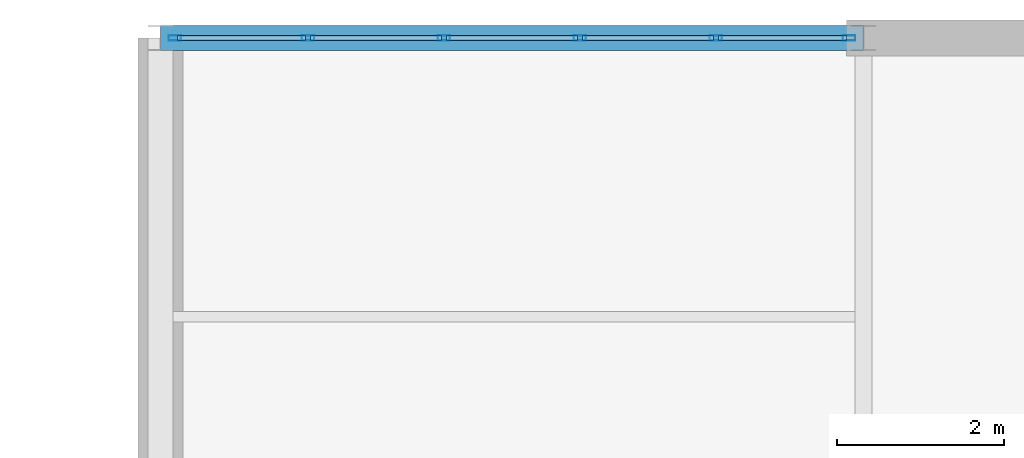
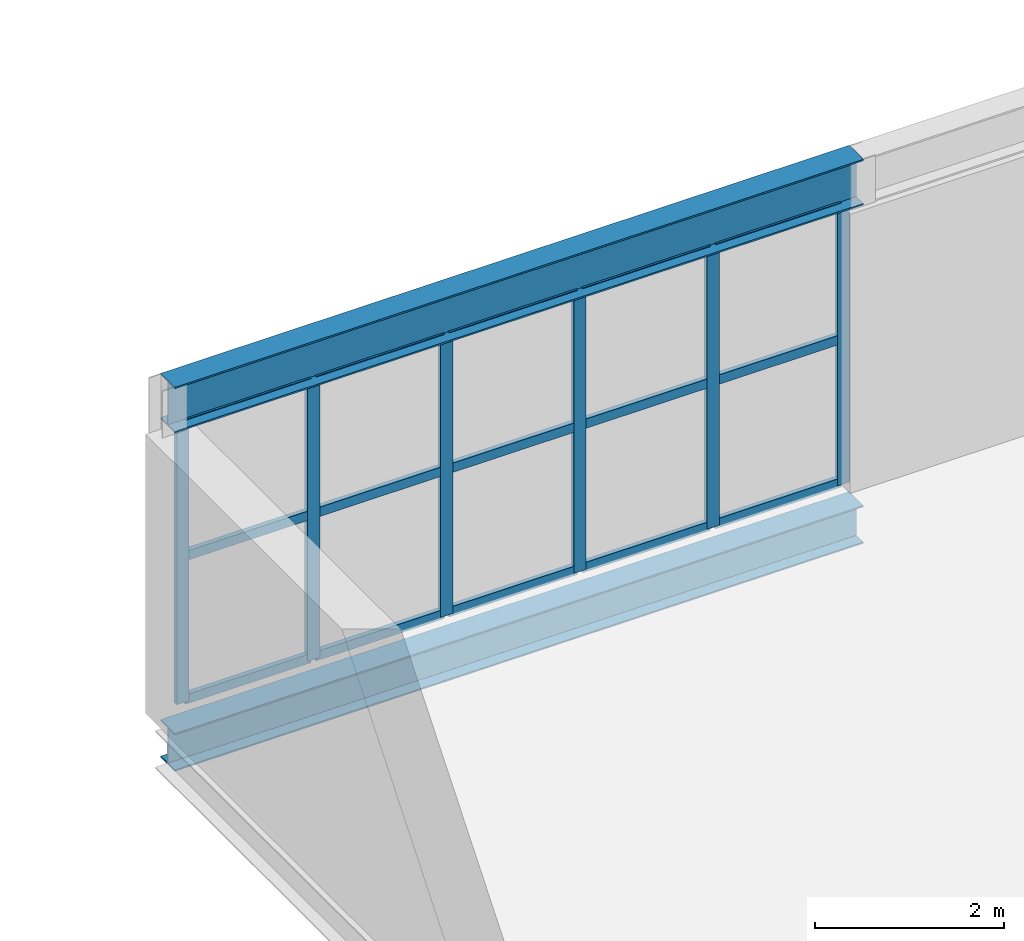
# One storey, part 160 of 218: 21 members, 2 beams, 1 element without a shape of its own.
"""IFC4 building model written with IfcOpenShell, lengths in metres."""

import ifcopenshell
import ifcopenshell.guid

model = None  # the IFC model being written
_history = None  # IfcOwnerHistory: only IFC2X3 demands one
_inside = {}  # id of a spatial element -> (the spatial element, [elements in it])
_under = {}  # id of a project, library or spatial element -> (it, [spatial elements below it])
_declared = {}  # id of a project -> (the project, [libraries it declares])
_typed = {}  # id of a type object -> (the type object, [elements of that type])
_made_of = {}  # id of a material, layer set ... -> (it, [elements and type objects made of it])


def new_model(schema):
    """Start an empty IFC model of exactly this schema.

    Asked for "IFC4X3", IfcOpenShell would pick the latest addendum, in which some entities
    have other attributes; the version numbers below select the first issue.
    IFC2X3 requires an IfcOwnerHistory on every rooted entity: one is made here for all.
    """
    global model, _history
    if schema == "IFC4X3":
        model = ifcopenshell.file(schema_version=(4, 3, 0, 0))
    else:
        model = ifcopenshell.file(schema=schema)
    _inside.clear()
    _under.clear()
    _declared.clear()
    _typed.clear()
    _made_of.clear()
    _history = None
    if model.schema == "IFC2X3":
        org = make("IfcOrganization", Name="unknown")
        user = make(
            "IfcPersonAndOrganization",
            ThePerson=make("IfcPerson", FamilyName="unknown"),
            TheOrganization=org,
        )
        app = make(
            "IfcApplication",
            ApplicationDeveloper=org,
            Version="unknown",
            ApplicationFullName="unknown",
            ApplicationIdentifier="unknown",
        )
        _history = make(
            "IfcOwnerHistory",
            OwningUser=user,
            OwningApplication=app,
            ChangeAction="ADDED",
            CreationDate=0,
        )
    return model


def make(cls, **values):
    """One entity of the class cls with the attributes given. An attribute that is None is left unset."""
    return model.create_entity(
        cls, **{name: value for name, value in values.items() if value is not None}
    )


def rooted(cls, **values):
    """An entity with a GlobalId (a new one), such as an element, a storey or a relation."""
    return make(cls, GlobalId=ifcopenshell.guid.new(), OwnerHistory=_history, **values)


def si_unit(unit_type, name, prefix=None):
    """IfcSIUnit, for example si_unit("LENGTHUNIT", "METRE", prefix="MILLI")."""
    return make("IfcSIUnit", UnitType=unit_type, Prefix=prefix, Name=name)


def assignment(units):
    """IfcUnitAssignment: the units of a project."""
    return None if units is None else make("IfcUnitAssignment", Units=units)


def point(xyz):
    """IfcCartesianPoint."""
    return None if xyz is None else make("IfcCartesianPoint", Coordinates=xyz)


def direction(xyz):
    """IfcDirection."""
    return None if xyz is None else make("IfcDirection", DirectionRatios=xyz)


def frame(location, z_axis=None, x_axis=None):
    """IfcAxis2Placement3D, a coordinate frame: its origin and axes. An axis left out is left unset."""
    return make(
        "IfcAxis2Placement3D",
        Location=point(location),
        Axis=direction(z_axis),
        RefDirection=direction(x_axis),
    )


def frame_2d(location, x_axis=None):
    """IfcAxis2Placement2D, a coordinate frame in the plane: its origin and x axis."""
    return make(
        "IfcAxis2Placement2D", Location=point(location), RefDirection=direction(x_axis)
    )


def origin():
    """The frame at (0, 0, 0) with its axes left unset."""
    return frame((0.0, 0.0, 0.0))


def origin_2d():
    """The frame at (0, 0) in the plane with its x axis left unset."""
    return frame_2d((0.0, 0.0))


def place(relative_to, where):
    """IfcLocalPlacement: puts the frame where relative to a parent placement (None: the world)."""
    return make(
        "IfcLocalPlacement", PlacementRelTo=relative_to, RelativePlacement=where
    )


def context(
    kind, dimensions, precision=None, world=None, true_north=None, identifier=None
):
    """IfcGeometricRepresentationContext, for example the 3D "Model" context."""
    return make(
        "IfcGeometricRepresentationContext",
        ContextIdentifier=identifier,
        ContextType=kind,
        CoordinateSpaceDimension=dimensions,
        Precision=precision,
        WorldCoordinateSystem=world,
        TrueNorth=true_north,
    )


def subcontext(parent, identifier, kind, view, scale=None):
    """IfcGeometricRepresentationSubContext, for example "Body" below "Model"."""
    return make(
        "IfcGeometricRepresentationSubContext",
        ContextIdentifier=identifier,
        ContextType=kind,
        ParentContext=parent,
        TargetScale=scale,
        TargetView=view,
    )


def project(units=None, contexts=None):
    """IfcProject with its units and contexts."""
    return rooted(
        "IfcProject",
        Name="project",
        RepresentationContexts=contexts,
        UnitsInContext=assignment(units),
    )


def spatial(cls, under=None, at=None, **own):
    """A site, building, storey or space (cls), placed at a placement, below another one or the project."""
    s = rooted(cls, ObjectPlacement=at, **own)
    if under is not None:
        _under.setdefault(under.id(), (under, []))[1].append(s)
    return s


def profile(cls, at=None, kind="AREA", **sizes):
    """A parametric profile (cls). Its sizes go by their IFC names, for example OverallWidth=200.0."""
    return make(cls, ProfileType=kind, Position=at, **sizes)


def hollow_rectangle(**sizes):
    """IfcRectangleHollowProfileDef."""
    return profile("IfcRectangleHollowProfileDef", **sizes)


def i_section(**sizes):
    """IfcIShapeProfileDef."""
    return profile("IfcIShapeProfileDef", **sizes)


def extrude(swept, where, along, depth):
    """IfcExtrudedAreaSolid: the profile swept, set in the frame where, extruded along a direction by depth."""
    return make(
        "IfcExtrudedAreaSolid",
        SweptArea=swept,
        Position=where,
        ExtrudedDirection=direction(along),
        Depth=depth,
    )


def shape(context_of_items, identifier, shape_type, items):
    """IfcShapeRepresentation: the items that make up one representation, for example the "Body"."""
    return make(
        "IfcShapeRepresentation",
        ContextOfItems=context_of_items,
        RepresentationIdentifier=identifier,
        RepresentationType=shape_type,
        Items=items,
    )


def material(Name=None, Category=None):
    """IfcMaterial."""
    return make("IfcMaterial", Name=Name, Category=Category)


def material_profile(
    of_material, cross_section, Name=None, Category=None, Priority=None
):
    """IfcMaterialProfile: a cross section and its material."""
    return make(
        "IfcMaterialProfile",
        Name=Name,
        Material=of_material,
        Profile=cross_section,
        Priority=Priority,
        Category=Category,
    )


def profile_set(profiles, Name=None, composite=None):
    """IfcMaterialProfileSet."""
    return make(
        "IfcMaterialProfileSet",
        Name=Name,
        MaterialProfiles=profiles,
        CompositeProfile=composite,
    )


def made_of(thing, what):
    """Note that an element or type object is made of a material, layer set ...; save() writes the relation."""
    if what is not None:
        _made_of.setdefault(what.id(), (what, []))[1].append(thing)
    return thing


def type_object(cls, material=None, **own):
    """A type object (cls), such as IfcWallType, which elements share."""
    return made_of(rooted(cls, **own), material)


def element(
    cls,
    number,
    at=None,
    inside=None,
    cuts=None,
    type_object=None,
    material=None,
    context=None,
    identifier="Body",
    shape_type=None,
    held_by="IfcProductDefinitionShape",
    body=None,
    shapes=None,
    **own,
):
    """One element of the class cls, such as IfcWall. Its Tag is "e" and its number.

    at: its placement. inside: the storey or other place that contains it. cuts: it is an
    opening in that element (IfcRelVoidsElement). A single representation is given by context,
    identifier, shape_type and body (its items); several are given by shapes. held_by: the class
    of the entity that holds the representations. save() writes the other relations.
    """
    e = rooted(cls, Tag="e%d" % number, ObjectPlacement=at, **own)
    if body is not None:
        shapes = [shape(context, identifier, shape_type, body)]
    if shapes is not None:
        e.Representation = make(held_by, Representations=shapes)
    if inside is not None:
        _inside.setdefault(inside.id(), (inside, []))[1].append(e)
    if cuts is not None:
        rooted(
            "IfcRelVoidsElement", RelatingBuildingElement=cuts, RelatedOpeningElement=e
        )
    if type_object is not None:
        _typed.setdefault(type_object.id(), (type_object, []))[1].append(e)
    return made_of(e, material)


def aggregate(whole, parts):
    """IfcRelAggregates: a whole, such as a stair, and the parts it consists of."""
    return rooted("IfcRelAggregates", RelatingObject=whole, RelatedObjects=parts)


def save(model, path):
    """Write the relations noted so far, then the file.

    IfcRelAggregates (storeys below a building ...), IfcRelContainedInSpatialStructure (elements
    in a storey), IfcRelDefinesByType, IfcRelAssociatesMaterial and IfcRelDeclares: one each for
    every whole, place, type object, material and project.
    """
    for whole, parts in _under.values():
        aggregate(whole, parts)
    for where, things in _inside.values():
        rooted(
            "IfcRelContainedInSpatialStructure",
            RelatedElements=things,
            RelatingStructure=where,
        )
    for kind, things in _typed.values():
        rooted("IfcRelDefinesByType", RelatedObjects=things, RelatingType=kind)
    for what, things in _made_of.values():
        rooted("IfcRelAssociatesMaterial", RelatedObjects=things, RelatingMaterial=what)
    for by, libraries in _declared.values():
        rooted("IfcRelDeclares", RelatingContext=by, RelatedDefinitions=libraries)
    model.write(path)


model = new_model("IFC4")

# Units and contexts
model_context = context("Model", 3, precision=1e-05, world=origin(), true_north=direction((0.0, 1.0)))
body_context = subcontext(model_context, "Body", "Model", "MODEL_VIEW")
ifc_project = project(units=[si_unit("LENGTHUNIT", "METRE"), si_unit("AREAUNIT", "SQUARE_METRE"), si_unit("VOLUMEUNIT", "CUBIC_METRE"), si_unit("PLANEANGLEUNIT", "RADIAN"), si_unit("MASSUNIT", "GRAM", prefix="KILO")], contexts=[model_context])

# Site, building, storey
site_placement = place(None, origin())
site = spatial("IfcSite", under=ifc_project, at=site_placement, CompositionType="ELEMENT")
building_placement = place(site_placement, origin())
building = spatial("IfcBuilding", under=site, at=building_placement, Name="Kazenagashi Tramway Depot", CompositionType="ELEMENT")
storey_placement = place(building_placement, frame((0.0, 0.0, 6.0)))
storey = spatial("IfcBuildingStorey", under=building, at=storey_placement, Name="L02", CompositionType="ELEMENT", Elevation=6.0)

# Curtain wall, members
ifc_material_1 = material(Name="Anodised Aluminium and Low-E Glazing", Category="aluminium")
curtain_wall_type = type_object("IfcCurtainWallType", Name="CW-11", PredefinedType="USERDEFINED", material=ifc_material_1)
curtain_wall_placement = place(storey_placement, origin())
curtain_wall = element("IfcCurtainWall", 1, at=curtain_wall_placement, inside=storey, type_object=curtain_wall_type, Name="Industrial Glazed Screen CW-11 CW-0058", ObjectType="GLAZED SCREEN", PredefinedType="USERDEFINED")
ifc_material_2 = material(Name="Anodised Aluminium", Category="aluminium")
ifc_material_profile_1 = material_profile(ifc_material_2, hollow_rectangle(XDim=0.06, YDim=0.15, WallThickness=0.004, at=origin_2d()), Name="RHS-150x60x4")
ifc_profile_set_1 = profile_set([ifc_material_profile_1], Name="Anodised Aluminium")
member_type_1 = type_object("IfcMemberType", Name="ML-01", PredefinedType="MULLION", material=ifc_profile_set_1)
member_1_placement = place(storey_placement, frame((44.97, 130.0, 0.0), z_axis=(0.0, 0.0, 1.0), x_axis=(0.0, 1.0, 0.0)))
member_1 = element("IfcMember", 2, at=member_1_placement, type_object=member_type_1, Name="CW-11 mullion 1", PredefinedType="MULLION", context=body_context, shape_type="SweptSolid", body=[
    extrude(hollow_rectangle(XDim=0.06, YDim=0.15, WallThickness=0.004, at=origin_2d()), origin(), (0.0, 0.0, 1.0), 3.612),
])
member_2_placement = place(storey_placement, frame((46.564, 130.0, 0.0), z_axis=(0.0, 0.0, 1.0), x_axis=(0.0, 1.0, 0.0)))
member_2 = element("IfcMember", 3, at=member_2_placement, type_object=member_type_1, Name="CW-11 mullion 2", PredefinedType="MULLION", context=body_context, shape_type="SweptSolid", body=[
    extrude(hollow_rectangle(XDim=0.06, YDim=0.15, WallThickness=0.004, at=origin_2d()), origin(), (0.0, 0.0, 1.0), 3.612),
])
member_3_placement = place(storey_placement, frame((48.188, 130.0, 0.0), z_axis=(0.0, 0.0, 1.0), x_axis=(0.0, 1.0, 0.0)))
member_3 = element("IfcMember", 4, at=member_3_placement, type_object=member_type_1, Name="CW-11 mullion 3", PredefinedType="MULLION", context=body_context, shape_type="SweptSolid", body=[
    extrude(hollow_rectangle(XDim=0.06, YDim=0.15, WallThickness=0.004, at=origin_2d()), origin(), (0.0, 0.0, 1.0), 3.612),
])
member_4_placement = place(storey_placement, frame((49.812, 130.0, 0.0), z_axis=(0.0, 0.0, 1.0), x_axis=(0.0, 1.0, 0.0)))
member_4 = element("IfcMember", 5, at=member_4_placement, type_object=member_type_1, Name="CW-11 mullion 4", PredefinedType="MULLION", context=body_context, shape_type="SweptSolid", body=[
    extrude(hollow_rectangle(XDim=0.06, YDim=0.15, WallThickness=0.004, at=origin_2d()), origin(), (0.0, 0.0, 1.0), 3.612),
])
member_5_placement = place(storey_placement, frame((51.436, 130.0, 0.0), z_axis=(0.0, 0.0, 1.0), x_axis=(0.0, 1.0, 0.0)))
member_5 = element("IfcMember", 6, at=member_5_placement, type_object=member_type_1, Name="CW-11 mullion 5", PredefinedType="MULLION", context=body_context, shape_type="SweptSolid", body=[
    extrude(hollow_rectangle(XDim=0.06, YDim=0.15, WallThickness=0.004, at=origin_2d()), origin(), (0.0, 0.0, 1.0), 3.612),
])
member_6_placement = place(storey_placement, frame((53.03, 130.0, 0.0), z_axis=(0.0, 0.0, 1.0), x_axis=(0.0, 1.0, 0.0)))
member_6 = element("IfcMember", 7, at=member_6_placement, type_object=member_type_1, Name="CW-11 mullion 6", PredefinedType="MULLION", context=body_context, shape_type="SweptSolid", body=[
    extrude(hollow_rectangle(XDim=0.06, YDim=0.15, WallThickness=0.004, at=origin_2d()), origin(), (0.0, 0.0, 1.0), 3.612),
])

# Beams
ifc_material_3 = material(Name="Steel SN490B", Category="steel")
ifc_material_profile_2 = material_profile(ifc_material_3, i_section(OverallWidth=0.3, OverallDepth=0.588, WebThickness=0.012, FlangeThickness=0.02, at=origin_2d()), Name="H-588x300x12x20")
ifc_profile_set_2 = profile_set([ifc_material_profile_2], Name="Steel SN490B")
beam_type_1 = type_object("IfcBeamType", Name="SP-01", PredefinedType="SPANDREL", material=ifc_profile_set_2)
beam_1_placement = place(storey_placement, frame((44.8, 130.0, 3.906), z_axis=(1.0, 0.0, 0.0), x_axis=(0.0, 1.0, 0.0)))
element("IfcBeam", 8, at=beam_1_placement, inside=storey, type_object=beam_type_1, Name="Beam SP-01 BM-1880", PredefinedType="SPANDREL", context=body_context, shape_type="SweptSolid", body=[
    extrude(i_section(OverallWidth=0.3, OverallDepth=0.588, WebThickness=0.012, FlangeThickness=0.02, at=origin_2d()), origin(), (0.0, 0.0, 1.0), 8.4),
])
ifc_material_profile_3 = material_profile(ifc_material_3, i_section(OverallWidth=0.3, OverallDepth=0.488, WebThickness=0.011, FlangeThickness=0.018, at=origin_2d()), Name="H-488x300x11x18")
ifc_profile_set_3 = profile_set([ifc_material_profile_3], Name="Steel SN490B")
beam_type_2 = type_object("IfcBeamType", Name="SP-02", PredefinedType="SPANDREL", material=ifc_profile_set_3)
beam_2_placement = place(storey_placement, frame((44.8, 130.0, -0.509), z_axis=(1.0, 0.0, 0.0), x_axis=(0.0, 1.0, 0.0)))
element("IfcBeam", 9, at=beam_2_placement, inside=storey, type_object=beam_type_2, Name="Beam SP-02 BM-1799", PredefinedType="SPANDREL", context=body_context, shape_type="SweptSolid", body=[
    extrude(i_section(OverallWidth=0.3, OverallDepth=0.488, WebThickness=0.011, FlangeThickness=0.018, at=origin_2d()), origin(), (0.0, 0.0, 1.0), 8.4),
])

# Member
ifc_material_profile_4 = material_profile(ifc_material_2, hollow_rectangle(XDim=0.06, YDim=0.12, WallThickness=0.004, at=origin_2d()), Name="RHS-120x60x4")
ifc_profile_set_4 = profile_set([ifc_material_profile_4], Name="Anodised Aluminium")
member_type_2 = type_object("IfcMemberType", Name="TR-01", PredefinedType="USERDEFINED", material=ifc_profile_set_4)
member_7_placement = place(storey_placement, frame((45.0, 130.0, 0.03), z_axis=(1.0, 0.0, 0.0), x_axis=(0.0, 1.0, 0.0)))
member_7 = element("IfcMember", 10, at=member_7_placement, type_object=member_type_2, Name="CW-11 transom 1.1", ObjectType="TRANSOM", PredefinedType="USERDEFINED", context=body_context, shape_type="SweptSolid", body=[
    extrude(hollow_rectangle(XDim=0.06, YDim=0.12, WallThickness=0.004, at=origin_2d()), origin(), (0.0, 0.0, 1.0), 1.534),
])

member_8_placement = place(storey_placement, frame((45.0, 130.0, 1.878), z_axis=(1.0, 0.0, 0.0), x_axis=(0.0, 1.0, 0.0)))
member_8 = element("IfcMember", 11, at=member_8_placement, type_object=member_type_2, Name="CW-11 transom 1.2", ObjectType="TRANSOM", PredefinedType="USERDEFINED", context=body_context, shape_type="SweptSolid", body=[
    extrude(hollow_rectangle(XDim=0.06, YDim=0.12, WallThickness=0.004, at=origin_2d()), origin(), (0.0, 0.0, 1.0), 1.534),
])

member_9_placement = place(storey_placement, frame((45.0, 130.0, 3.582), z_axis=(1.0, 0.0, 0.0), x_axis=(0.0, 1.0, 0.0)))
member_9 = element("IfcMember", 12, at=member_9_placement, type_object=member_type_2, Name="CW-11 transom 1.3", ObjectType="TRANSOM", PredefinedType="USERDEFINED", context=body_context, shape_type="SweptSolid", body=[
    extrude(hollow_rectangle(XDim=0.06, YDim=0.12, WallThickness=0.004, at=origin_2d()), origin(), (0.0, 0.0, 1.0), 1.534),
])

member_10_placement = place(storey_placement, frame((46.594, 130.0, 0.03), z_axis=(1.0, 0.0, 0.0), x_axis=(0.0, 1.0, 0.0)))
member_10 = element("IfcMember", 13, at=member_10_placement, type_object=member_type_2, Name="CW-11 transom 2.1", ObjectType="TRANSOM", PredefinedType="USERDEFINED", context=body_context, shape_type="SweptSolid", body=[
    extrude(hollow_rectangle(XDim=0.06, YDim=0.12, WallThickness=0.004, at=origin_2d()), origin(), (0.0, 0.0, 1.0), 1.564),
])

member_11_placement = place(storey_placement, frame((46.594, 130.0, 1.878), z_axis=(1.0, 0.0, 0.0), x_axis=(0.0, 1.0, 0.0)))
member_11 = element("IfcMember", 14, at=member_11_placement, type_object=member_type_2, Name="CW-11 transom 2.2", ObjectType="TRANSOM", PredefinedType="USERDEFINED", context=body_context, shape_type="SweptSolid", body=[
    extrude(hollow_rectangle(XDim=0.06, YDim=0.12, WallThickness=0.004, at=origin_2d()), origin(), (0.0, 0.0, 1.0), 1.564),
])

member_12_placement = place(storey_placement, frame((46.594, 130.0, 3.582), z_axis=(1.0, 0.0, 0.0), x_axis=(0.0, 1.0, 0.0)))
member_12 = element("IfcMember", 15, at=member_12_placement, type_object=member_type_2, Name="CW-11 transom 2.3", ObjectType="TRANSOM", PredefinedType="USERDEFINED", context=body_context, shape_type="SweptSolid", body=[
    extrude(hollow_rectangle(XDim=0.06, YDim=0.12, WallThickness=0.004, at=origin_2d()), origin(), (0.0, 0.0, 1.0), 1.564),
])

member_13_placement = place(storey_placement, frame((48.218, 130.0, 0.03), z_axis=(1.0, 0.0, 0.0), x_axis=(0.0, 1.0, 0.0)))
member_13 = element("IfcMember", 16, at=member_13_placement, type_object=member_type_2, Name="CW-11 transom 3.1", ObjectType="TRANSOM", PredefinedType="USERDEFINED", context=body_context, shape_type="SweptSolid", body=[
    extrude(hollow_rectangle(XDim=0.06, YDim=0.12, WallThickness=0.004, at=origin_2d()), origin(), (0.0, 0.0, 1.0), 1.564),
])

member_14_placement = place(storey_placement, frame((48.218, 130.0, 1.878), z_axis=(1.0, 0.0, 0.0), x_axis=(0.0, 1.0, 0.0)))
member_14 = element("IfcMember", 17, at=member_14_placement, type_object=member_type_2, Name="CW-11 transom 3.2", ObjectType="TRANSOM", PredefinedType="USERDEFINED", context=body_context, shape_type="SweptSolid", body=[
    extrude(hollow_rectangle(XDim=0.06, YDim=0.12, WallThickness=0.004, at=origin_2d()), origin(), (0.0, 0.0, 1.0), 1.564),
])

member_15_placement = place(storey_placement, frame((48.218, 130.0, 3.582), z_axis=(1.0, 0.0, 0.0), x_axis=(0.0, 1.0, 0.0)))
member_15 = element("IfcMember", 18, at=member_15_placement, type_object=member_type_2, Name="CW-11 transom 3.3", ObjectType="TRANSOM", PredefinedType="USERDEFINED", context=body_context, shape_type="SweptSolid", body=[
    extrude(hollow_rectangle(XDim=0.06, YDim=0.12, WallThickness=0.004, at=origin_2d()), origin(), (0.0, 0.0, 1.0), 1.564),
])

member_16_placement = place(storey_placement, frame((49.842, 130.0, 0.03), z_axis=(1.0, 0.0, 0.0), x_axis=(0.0, 1.0, 0.0)))
member_16 = element("IfcMember", 19, at=member_16_placement, type_object=member_type_2, Name="CW-11 transom 4.1", ObjectType="TRANSOM", PredefinedType="USERDEFINED", context=body_context, shape_type="SweptSolid", body=[
    extrude(hollow_rectangle(XDim=0.06, YDim=0.12, WallThickness=0.004, at=origin_2d()), origin(), (0.0, 0.0, 1.0), 1.564),
])

member_17_placement = place(storey_placement, frame((49.842, 130.0, 1.878), z_axis=(1.0, 0.0, 0.0), x_axis=(0.0, 1.0, 0.0)))
member_17 = element("IfcMember", 20, at=member_17_placement, type_object=member_type_2, Name="CW-11 transom 4.2", ObjectType="TRANSOM", PredefinedType="USERDEFINED", context=body_context, shape_type="SweptSolid", body=[
    extrude(hollow_rectangle(XDim=0.06, YDim=0.12, WallThickness=0.004, at=origin_2d()), origin(), (0.0, 0.0, 1.0), 1.564),
])

member_18_placement = place(storey_placement, frame((49.842, 130.0, 3.582), z_axis=(1.0, 0.0, 0.0), x_axis=(0.0, 1.0, 0.0)))
member_18 = element("IfcMember", 21, at=member_18_placement, type_object=member_type_2, Name="CW-11 transom 4.3", ObjectType="TRANSOM", PredefinedType="USERDEFINED", context=body_context, shape_type="SweptSolid", body=[
    extrude(hollow_rectangle(XDim=0.06, YDim=0.12, WallThickness=0.004, at=origin_2d()), origin(), (0.0, 0.0, 1.0), 1.564),
])

member_19_placement = place(storey_placement, frame((51.466, 130.0, 0.03), z_axis=(1.0, 0.0, 0.0), x_axis=(0.0, 1.0, 0.0)))
member_19 = element("IfcMember", 22, at=member_19_placement, type_object=member_type_2, Name="CW-11 transom 5.1", ObjectType="TRANSOM", PredefinedType="USERDEFINED", context=body_context, shape_type="SweptSolid", body=[
    extrude(hollow_rectangle(XDim=0.06, YDim=0.12, WallThickness=0.004, at=origin_2d()), origin(), (0.0, 0.0, 1.0), 1.534),
])

member_20_placement = place(storey_placement, frame((51.466, 130.0, 1.878), z_axis=(1.0, 0.0, 0.0), x_axis=(0.0, 1.0, 0.0)))
member_20 = element("IfcMember", 23, at=member_20_placement, type_object=member_type_2, Name="CW-11 transom 5.2", ObjectType="TRANSOM", PredefinedType="USERDEFINED", context=body_context, shape_type="SweptSolid", body=[
    extrude(hollow_rectangle(XDim=0.06, YDim=0.12, WallThickness=0.004, at=origin_2d()), origin(), (0.0, 0.0, 1.0), 1.534),
])

member_21_placement = place(storey_placement, frame((51.466, 130.0, 3.582), z_axis=(1.0, 0.0, 0.0), x_axis=(0.0, 1.0, 0.0)))
member_21 = element("IfcMember", 24, at=member_21_placement, type_object=member_type_2, Name="CW-11 transom 5.3", ObjectType="TRANSOM", PredefinedType="USERDEFINED", context=body_context, shape_type="SweptSolid", body=[
    extrude(hollow_rectangle(XDim=0.06, YDim=0.12, WallThickness=0.004, at=origin_2d()), origin(), (0.0, 0.0, 1.0), 1.534),
])

aggregate(curtain_wall, [member_1, member_2, member_3, member_4, member_5, member_6, member_7, member_8, member_9, member_10, member_11, member_12, member_13, member_14, member_15, member_16, member_17, member_18, member_19, member_20, member_21])

save(model, "model.ifc")
